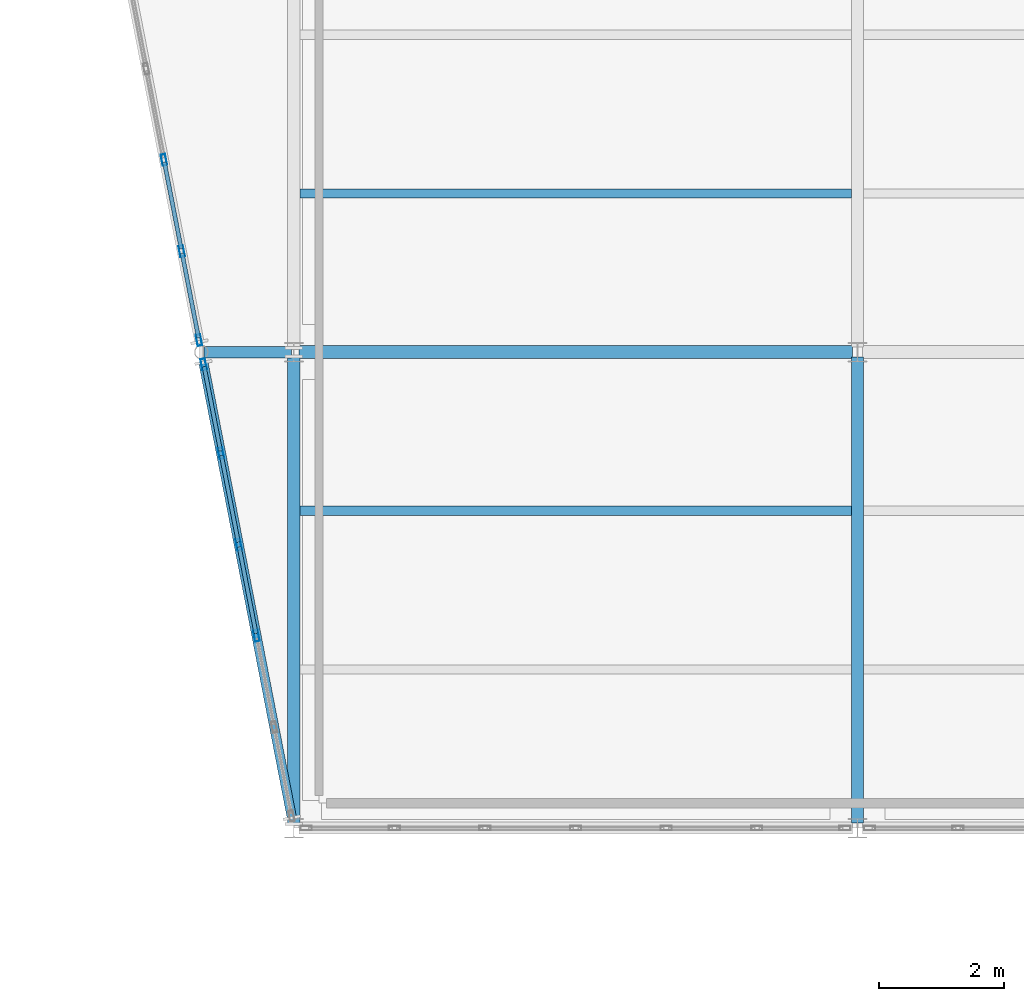
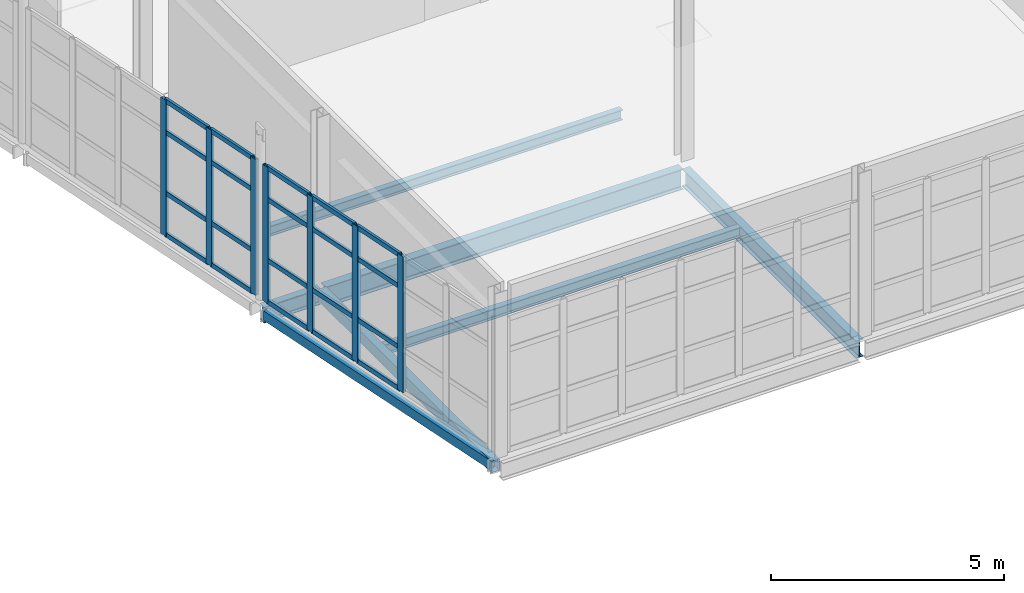
# One storey, part 86 of 166: 27 members, 7 beams, 2 elements without a shape of their own.
"""IFC4 building model written with IfcOpenShell, lengths in metres."""

from ifc_helpers import new_model, si_unit, direction, frame, origin, origin_2d, place, context, subcontext, project, spatial, hollow_rectangle, i_section, extrude, material, material_profile, profile_set, type_object, element, aggregate, save


model = new_model("IFC4")

# Units and contexts
model_context = context("Model", 3, precision=1e-05, world=origin(), true_north=direction((0.0, 1.0)))
body_context = subcontext(model_context, "Body", "Model", "MODEL_VIEW")
ifc_project = project(units=[si_unit("LENGTHUNIT", "METRE"), si_unit("AREAUNIT", "SQUARE_METRE"), si_unit("VOLUMEUNIT", "CUBIC_METRE"), si_unit("PLANEANGLEUNIT", "RADIAN"), si_unit("MASSUNIT", "GRAM", prefix="KILO")], contexts=[model_context])

# Site, building, storey
site_placement = place(None, origin())
site = spatial("IfcSite", under=ifc_project, at=site_placement, CompositionType="ELEMENT")
building_placement = place(site_placement, origin())
building = spatial("IfcBuilding", under=site, at=building_placement, Name="Caisbarro Railhouse Central Library", CompositionType="ELEMENT")
storey_placement = place(building_placement, frame((0.0, 0.0, 9.360107421875)))
storey = spatial("IfcBuildingStorey", under=building, at=storey_placement, Name="L02", CompositionType="ELEMENT", Elevation=9.360107421875)

# Beams
ifc_material_1 = material(Name="Steel ASTM A572 Grade 50", Category="steel")
ifc_material_profile_1 = material_profile(ifc_material_1, i_section(OverallWidth=0.208984375, OverallDepth=0.532958984375, WebThickness=0.01025390625, FlangeThickness=0.015625, FilletRadius=0.02001953125, at=origin_2d()), Name="W530X92.0")
ifc_profile_set_1 = profile_set([ifc_material_profile_1], Name="Steel ASTM A572 Grade 50")
beam_type_1 = type_object("IfcBeamType", Name="BM-G06", PredefinedType="BEAM", material=ifc_profile_set_1)
beam_1_placement = place(storey_placement, frame((117.080078125, 68.39990234375, -0.486572265625), z_axis=(1.0, 0.0, 0.0), x_axis=(0.0, 1.0, 0.0)))
element("IfcBeam", 1, at=beam_1_placement, inside=storey, type_object=beam_type_1, Name="G06 beam L02 #1480", PredefinedType="BEAM", context=body_context, shape_type="SweptSolid", body=[
    extrude(i_section(OverallWidth=0.208984375, OverallDepth=0.532958984375, WebThickness=0.01025390625, FlangeThickness=0.015625, FilletRadius=0.02001953125, at=origin_2d()), origin(), (0.0, 0.0, 1.0), 8.83984375),
])
ifc_material_profile_2 = material_profile(ifc_material_1, i_section(OverallWidth=0.18994140625, OverallDepth=0.45703125, WebThickness=0.009033203125, FlangeThickness=0.014404296875, FilletRadius=0.01806640625, at=origin_2d()), Name="W460X74.0")
ifc_profile_set_2 = profile_set([ifc_material_profile_2], Name="Steel ASTM A572 Grade 50")
beam_type_2 = type_object("IfcBeamType", Name="BM-G08", PredefinedType="BEAM", material=ifc_profile_set_2)
beam_2_placement = place(storey_placement, frame((126.0, 60.8798828125, -0.448486328125), z_axis=(0.0, 1.0, 0.0), x_axis=(-1.0, 0.0, 0.0)))
element("IfcBeam", 2, at=beam_2_placement, inside=storey, type_object=beam_type_2, Name="G08 beam L02 #1513", PredefinedType="BEAM", context=body_context, shape_type="SweptSolid", body=[
    extrude(i_section(OverallWidth=0.18994140625, OverallDepth=0.45703125, WebThickness=0.009033203125, FlangeThickness=0.014404296875, FilletRadius=0.01806640625, at=origin_2d()), origin(), (0.0, 0.0, 1.0), 7.440185546875),
])
ifc_material_profile_3 = material_profile(ifc_material_1, i_section(OverallWidth=0.180908203125, OverallDepth=0.4169921875, WebThickness=0.010986328125, FlangeThickness=0.018310546875, FilletRadius=0.01611328125, at=origin_2d()), Name="W410X85.0")
ifc_profile_set_3 = profile_set([ifc_material_profile_3], Name="Steel ASTM A572 Grade 50")
beam_type_3 = type_object("IfcBeamType", Name="BM-G09", PredefinedType="BEAM", material=ifc_profile_set_3)
beam_3_placement = place(storey_placement, frame((115.56298828125, 68.39990234375, -0.4287109375), z_axis=(1.0, 0.0, 0.0), x_axis=(0.0, 1.0, 0.0)))
element("IfcBeam", 3, at=beam_3_placement, inside=storey, type_object=beam_type_3, Name="G09 beam L02 #1748", PredefinedType="BEAM", context=body_context, shape_type="SweptSolid", body=[
    extrude(i_section(OverallWidth=0.180908203125, OverallDepth=0.4169921875, WebThickness=0.010986328125, FlangeThickness=0.018310546875, FilletRadius=0.01611328125, at=origin_2d()), origin(), (0.0, 0.0, 1.0), 1.39697265625),
])
ifc_material_profile_4 = material_profile(ifc_material_1, i_section(OverallWidth=0.14794921875, OverallDepth=0.26611328125, WebThickness=0.007568359375, FlangeThickness=0.012939453125, FilletRadius=0.010009765625, at=origin_2d()), Name="W250X44.8")
ifc_profile_set_4 = profile_set([ifc_material_profile_4], Name="Steel ASTM A572 Grade 50")
beam_type_4 = type_object("IfcBeamType", Name="BM-J04", PredefinedType="JOIST", material=ifc_profile_set_4)
for number, where, z_axis, x_axis, name in (
    (4, (117.10009765625, 65.86669921875, -0.35302734375), (1.0, 0.0, 0.0), (0.0, 1.0, 0.0), "J04 beam L02 #1540"),
    (5, (117.10009765625, 70.933349609375, -0.35302734375), (1.0, 0.0, 0.0), (0.0, 1.0, 0.0), "J04 beam L02 #1541"),
):
    element("IfcBeam", number, at=place(storey_placement, frame(where, z_axis=z_axis, x_axis=x_axis)), inside=storey, type_object=beam_type_4, Name=name, PredefinedType="JOIST", context=body_context, shape_type="SweptSolid", body=[
        extrude(i_section(OverallWidth=0.14794921875, OverallDepth=0.26611328125, WebThickness=0.007568359375, FlangeThickness=0.012939453125, FilletRadius=0.010009765625, at=origin_2d()), origin(), (0.0, 0.0, 1.0), 8.804931640625),
    ])
ifc_material_profile_5 = material_profile(ifc_material_1, hollow_rectangle(XDim=0.199951171875, YDim=0.300048828125, WallThickness=0.012451171875, at=origin_2d()), Name="HSS300X200X12.5")
ifc_profile_set_5 = profile_set([ifc_material_profile_5], Name="Steel ASTM A572 Grade 50")
beam_type_5 = type_object("IfcBeamType", Name="BM-SP02", PredefinedType="SPANDREL", material=ifc_profile_set_5)
beam_4_placement = place(storey_placement, frame((117.0, 60.8798828125, -0.3701171875), z_axis=(0.0, 1.0, 0.0), x_axis=(-1.0, 0.0, 0.0)))
element("IfcBeam", 6, at=beam_4_placement, inside=storey, type_object=beam_type_5, Name="SP02 beam L02 #1506", PredefinedType="SPANDREL", context=body_context, shape_type="SweptSolid", body=[
    extrude(hollow_rectangle(XDim=0.199951171875, YDim=0.300048828125, WallThickness=0.012451171875, at=origin_2d()), origin(), (0.0, 0.0, 1.0), 7.440185546875),
])
ifc_material_profile_6 = material_profile(ifc_material_1, hollow_rectangle(XDim=0.14990234375, YDim=0.25, WallThickness=0.010009765625, at=origin_2d()), Name="HSS250X150X10")
ifc_profile_set_6 = profile_set([ifc_material_profile_6], Name="Steel ASTM A572 Grade 50")
beam_type_6 = type_object("IfcBeamType", Name="BM-SP03", PredefinedType="SPANDREL", material=ifc_profile_set_6)
beam_5_placement = place(storey_placement, frame((116.9658203125, 60.976806640625, -0.34521484375), z_axis=(-0.1907899916, 0.981630877217, 0.0), x_axis=(-0.981630877217, -0.1907899916, 0.0)))
element("IfcBeam", 7, at=beam_5_placement, inside=storey, type_object=beam_type_6, Name="SP03 beam L02 #1742", PredefinedType="SPANDREL", context=body_context, shape_type="SweptSolid", body=[
    extrude(hollow_rectangle(XDim=0.14990234375, YDim=0.25, WallThickness=0.010009765625, at=origin_2d()), origin(), (0.0, 0.0, 1.0), 7.382080078125),
])

# Curtain wall, members
ifc_material_2 = material(Name="Anodised architectural aluminium", Category="aluminium")
curtain_wall_type = type_object("IfcCurtainWallType", Name="CW-CW02", PredefinedType="NOTDEFINED", material=ifc_material_2)
curtain_wall_1_placement = place(storey_placement, origin())
curtain_wall_1 = element("IfcCurtainWall", 8, at=curtain_wall_1_placement, inside=storey, type_object=curtain_wall_type, Name="CW02 curtain wall L02 #126", PredefinedType="NOTDEFINED")
ifc_material_profile_7 = material_profile(ifc_material_2, hollow_rectangle(XDim=0.074951171875, YDim=0.179931640625, WallThickness=0.00439453125, at=origin_2d()), Name="ALU-MUL-75X180")
ifc_profile_set_7 = profile_set([ifc_material_profile_7], Name="Anodised architectural aluminium")
member_type_1 = type_object("IfcMemberType", Name="CWM-M01", PredefinedType="MULLION", material=ifc_profile_set_7)
member_1_placement = place(storey_placement, frame((116.403076171875, 63.871337890625, 0.0), z_axis=(0.0, 0.0, 1.0), x_axis=(-0.981632635401, -0.190780945369, 0.0)))
member_1 = element("IfcMember", 9, at=member_1_placement, type_object=member_type_1, Name="CW02 mullion 3", PredefinedType="MULLION", context=body_context, shape_type="SweptSolid", body=[
    extrude(hollow_rectangle(XDim=0.074951171875, YDim=0.179931640625, WallThickness=0.00439453125, at=origin_2d()), origin(), (0.0, 0.0, 1.0), 3.559814453125),
])
member_2_placement = place(storey_placement, frame((116.119873046875, 65.32861328125, 0.0), z_axis=(0.0, 0.0, 1.0), x_axis=(-0.981632635401, -0.190780945369, 0.0)))
member_2 = element("IfcMember", 10, at=member_2_placement, type_object=member_type_1, Name="CW02 mullion 4", PredefinedType="MULLION", context=body_context, shape_type="SweptSolid", body=[
    extrude(hollow_rectangle(XDim=0.074951171875, YDim=0.179931640625, WallThickness=0.00439453125, at=origin_2d()), origin(), (0.0, 0.0, 1.0), 3.559814453125),
])
member_3_placement = place(storey_placement, frame((115.836669921875, 66.78564453125, 0.0), z_axis=(0.0, 0.0, 1.0), x_axis=(-0.981632635401, -0.190780945369, 0.0)))
member_3 = element("IfcMember", 11, at=member_3_placement, type_object=member_type_1, Name="CW02 mullion 5", PredefinedType="MULLION", context=body_context, shape_type="SweptSolid", body=[
    extrude(hollow_rectangle(XDim=0.074951171875, YDim=0.179931640625, WallThickness=0.00439453125, at=origin_2d()), origin(), (0.0, 0.0, 1.0), 3.559814453125),
])
member_4_placement = place(storey_placement, frame((115.560546875, 68.2060546875, 0.0), z_axis=(0.0, 0.0, 1.0), x_axis=(-0.981632635401, -0.190780945369, 0.0)))
member_4 = element("IfcMember", 12, at=member_4_placement, type_object=member_type_1, Name="CW02 mullion 6", PredefinedType="MULLION", context=body_context, shape_type="SweptSolid", body=[
    extrude(hollow_rectangle(XDim=0.074951171875, YDim=0.179931640625, WallThickness=0.00439453125, at=origin_2d()), origin(), (0.0, 0.0, 1.0), 3.559814453125),
])

curtain_wall_2_placement = place(storey_placement, origin())
curtain_wall_2 = element("IfcCurtainWall", 13, at=curtain_wall_2_placement, inside=storey, type_object=curtain_wall_type, Name="CW02 curtain wall L02 #127", PredefinedType="NOTDEFINED")
member_5_placement = place(storey_placement, frame((115.4853515625, 68.593994140625, 0.0), z_axis=(0.0, 0.0, 1.0), x_axis=(-0.98160739523, -0.190910768765, 0.0)))
member_5 = element("IfcMember", 14, at=member_5_placement, type_object=member_type_1, Name="CW02 mullion 1", PredefinedType="MULLION", context=body_context, shape_type="SweptSolid", body=[
    extrude(hollow_rectangle(XDim=0.074951171875, YDim=0.179931640625, WallThickness=0.00439453125, at=origin_2d()), origin(), (0.0, 0.0, 1.0), 3.559814453125),
])
member_6_placement = place(storey_placement, frame((115.208984375, 70.01416015625, 0.0), z_axis=(0.0, 0.0, 1.0), x_axis=(-0.98160739523, -0.190910768765, 0.0)))
member_6 = element("IfcMember", 15, at=member_6_placement, type_object=member_type_1, Name="CW02 mullion 2", PredefinedType="MULLION", context=body_context, shape_type="SweptSolid", body=[
    extrude(hollow_rectangle(XDim=0.074951171875, YDim=0.179931640625, WallThickness=0.00439453125, at=origin_2d()), origin(), (0.0, 0.0, 1.0), 3.559814453125),
])
member_7_placement = place(storey_placement, frame((114.92578125, 71.471435546875, 0.0), z_axis=(0.0, 0.0, 1.0), x_axis=(-0.98160739523, -0.190910768765, 0.0)))
member_7 = element("IfcMember", 16, at=member_7_placement, type_object=member_type_1, Name="CW02 mullion 3", PredefinedType="MULLION", context=body_context, shape_type="SweptSolid", body=[
    extrude(hollow_rectangle(XDim=0.074951171875, YDim=0.179931640625, WallThickness=0.00439453125, at=origin_2d()), origin(), (0.0, 0.0, 1.0), 3.559814453125),
])

# Member
ifc_material_profile_8 = material_profile(ifc_material_2, hollow_rectangle(XDim=0.06494140625, YDim=0.1201171875, WallThickness=0.00341796875, at=origin_2d()), Name="ALU-TRN-65X120")
ifc_profile_set_8 = profile_set([ifc_material_profile_8], Name="Anodised architectural aluminium")
member_type_2 = type_object("IfcMemberType", Name="CWT-T02", PredefinedType="USERDEFINED", material=ifc_profile_set_8)
member_8_placement = place(storey_placement, frame((116.39599609375, 63.908203125, 0.032470703125), z_axis=(-0.190883567843, 0.981612685089, 0.0), x_axis=(-0.981612685089, -0.190883567843, 0.0)))
member_8 = element("IfcMember", 17, at=member_8_placement, type_object=member_type_2, Name="CW02 transom 3.1", ObjectType="TRANSOM", PredefinedType="USERDEFINED", context=body_context, shape_type="SweptSolid", body=[
    extrude(hollow_rectangle(XDim=0.06494140625, YDim=0.1201171875, WallThickness=0.00341796875, at=origin_2d()), origin(), (0.0, 0.0, 1.0), 1.409423828125),
])

member_9_placement = place(storey_placement, frame((116.39599609375, 63.908203125, 1.119873046875), z_axis=(-0.190883567843, 0.981612685089, 0.0), x_axis=(-0.981612685089, -0.190883567843, 0.0)))
member_9 = element("IfcMember", 18, at=member_9_placement, type_object=member_type_2, Name="CW02 transom 3.2", ObjectType="TRANSOM", PredefinedType="USERDEFINED", context=body_context, shape_type="SweptSolid", body=[
    extrude(hollow_rectangle(XDim=0.06494140625, YDim=0.1201171875, WallThickness=0.00341796875, at=origin_2d()), origin(), (0.0, 0.0, 1.0), 1.409423828125),
])

member_10_placement = place(storey_placement, frame((116.39599609375, 63.908203125, 2.7099609375), z_axis=(-0.190883567843, 0.981612685089, 0.0), x_axis=(-0.981612685089, -0.190883567843, 0.0)))
member_10 = element("IfcMember", 19, at=member_10_placement, type_object=member_type_2, Name="CW02 transom 3.3", ObjectType="TRANSOM", PredefinedType="USERDEFINED", context=body_context, shape_type="SweptSolid", body=[
    extrude(hollow_rectangle(XDim=0.06494140625, YDim=0.1201171875, WallThickness=0.00341796875, at=origin_2d()), origin(), (0.0, 0.0, 1.0), 1.409423828125),
])

member_11_placement = place(storey_placement, frame((116.39599609375, 63.908203125, 3.52734375), z_axis=(-0.190883567843, 0.981612685089, 0.0), x_axis=(-0.981612685089, -0.190883567843, 0.0)))
member_11 = element("IfcMember", 20, at=member_11_placement, type_object=member_type_2, Name="CW02 transom 3.4", ObjectType="TRANSOM", PredefinedType="USERDEFINED", context=body_context, shape_type="SweptSolid", body=[
    extrude(hollow_rectangle(XDim=0.06494140625, YDim=0.1201171875, WallThickness=0.00341796875, at=origin_2d()), origin(), (0.0, 0.0, 1.0), 1.409423828125),
])

member_12_placement = place(storey_placement, frame((116.11279296875, 65.365478515625, 0.032470703125), z_axis=(-0.190883567843, 0.981612685089, 0.0), x_axis=(-0.981612685089, -0.190883567843, 0.0)))
member_12 = element("IfcMember", 21, at=member_12_placement, type_object=member_type_2, Name="CW02 transom 4.1", ObjectType="TRANSOM", PredefinedType="USERDEFINED", context=body_context, shape_type="SweptSolid", body=[
    extrude(hollow_rectangle(XDim=0.06494140625, YDim=0.1201171875, WallThickness=0.00341796875, at=origin_2d()), origin(), (0.0, 0.0, 1.0), 1.409423828125),
])

member_13_placement = place(storey_placement, frame((116.11279296875, 65.365478515625, 1.119873046875), z_axis=(-0.190883567843, 0.981612685089, 0.0), x_axis=(-0.981612685089, -0.190883567843, 0.0)))
member_13 = element("IfcMember", 22, at=member_13_placement, type_object=member_type_2, Name="CW02 transom 4.2", ObjectType="TRANSOM", PredefinedType="USERDEFINED", context=body_context, shape_type="SweptSolid", body=[
    extrude(hollow_rectangle(XDim=0.06494140625, YDim=0.1201171875, WallThickness=0.00341796875, at=origin_2d()), origin(), (0.0, 0.0, 1.0), 1.409423828125),
])

member_14_placement = place(storey_placement, frame((116.11279296875, 65.365478515625, 2.7099609375), z_axis=(-0.190883567843, 0.981612685089, 0.0), x_axis=(-0.981612685089, -0.190883567843, 0.0)))
member_14 = element("IfcMember", 23, at=member_14_placement, type_object=member_type_2, Name="CW02 transom 4.3", ObjectType="TRANSOM", PredefinedType="USERDEFINED", context=body_context, shape_type="SweptSolid", body=[
    extrude(hollow_rectangle(XDim=0.06494140625, YDim=0.1201171875, WallThickness=0.00341796875, at=origin_2d()), origin(), (0.0, 0.0, 1.0), 1.409423828125),
])

member_15_placement = place(storey_placement, frame((116.11279296875, 65.365478515625, 3.52734375), z_axis=(-0.190883567843, 0.981612685089, 0.0), x_axis=(-0.981612685089, -0.190883567843, 0.0)))
member_15 = element("IfcMember", 24, at=member_15_placement, type_object=member_type_2, Name="CW02 transom 4.4", ObjectType="TRANSOM", PredefinedType="USERDEFINED", context=body_context, shape_type="SweptSolid", body=[
    extrude(hollow_rectangle(XDim=0.06494140625, YDim=0.1201171875, WallThickness=0.00341796875, at=origin_2d()), origin(), (0.0, 0.0, 1.0), 1.409423828125),
])

member_16_placement = place(storey_placement, frame((115.82958984375, 66.822509765625, 0.032470703125), z_axis=(-0.190774392735, 0.981633908887, 0.0), x_axis=(-0.981633908887, -0.190774392735, 0.0)))
member_16 = element("IfcMember", 25, at=member_16_placement, type_object=member_type_2, Name="CW02 transom 5.1", ObjectType="TRANSOM", PredefinedType="USERDEFINED", context=body_context, shape_type="SweptSolid", body=[
    extrude(hollow_rectangle(XDim=0.06494140625, YDim=0.1201171875, WallThickness=0.00341796875, at=origin_2d()), origin(), (0.0, 0.0, 1.0), 1.371826171875),
])

member_17_placement = place(storey_placement, frame((115.82958984375, 66.822509765625, 1.119873046875), z_axis=(-0.190774392735, 0.981633908887, 0.0), x_axis=(-0.981633908887, -0.190774392735, 0.0)))
member_17 = element("IfcMember", 26, at=member_17_placement, type_object=member_type_2, Name="CW02 transom 5.2", ObjectType="TRANSOM", PredefinedType="USERDEFINED", context=body_context, shape_type="SweptSolid", body=[
    extrude(hollow_rectangle(XDim=0.06494140625, YDim=0.1201171875, WallThickness=0.00341796875, at=origin_2d()), origin(), (0.0, 0.0, 1.0), 1.371826171875),
])

member_18_placement = place(storey_placement, frame((115.82958984375, 66.822509765625, 2.7099609375), z_axis=(-0.190774392735, 0.981633908887, 0.0), x_axis=(-0.981633908887, -0.190774392735, 0.0)))
member_18 = element("IfcMember", 27, at=member_18_placement, type_object=member_type_2, Name="CW02 transom 5.3", ObjectType="TRANSOM", PredefinedType="USERDEFINED", context=body_context, shape_type="SweptSolid", body=[
    extrude(hollow_rectangle(XDim=0.06494140625, YDim=0.1201171875, WallThickness=0.00341796875, at=origin_2d()), origin(), (0.0, 0.0, 1.0), 1.371826171875),
])

member_19_placement = place(storey_placement, frame((115.82958984375, 66.822509765625, 3.52734375), z_axis=(-0.190774392735, 0.981633908887, 0.0), x_axis=(-0.981633908887, -0.190774392735, 0.0)))
member_19 = element("IfcMember", 28, at=member_19_placement, type_object=member_type_2, Name="CW02 transom 5.4", ObjectType="TRANSOM", PredefinedType="USERDEFINED", context=body_context, shape_type="SweptSolid", body=[
    extrude(hollow_rectangle(XDim=0.06494140625, YDim=0.1201171875, WallThickness=0.00341796875, at=origin_2d()), origin(), (0.0, 0.0, 1.0), 1.371826171875),
])

aggregate(curtain_wall_1, [member_1, member_2, member_3, member_4, member_8, member_9, member_10, member_11, member_12, member_13, member_14, member_15, member_16, member_17, member_18, member_19])

member_20_placement = place(storey_placement, frame((115.478271484375, 68.630615234375, 0.032470703125), z_axis=(-0.190912519438, 0.981607054743, 0.0), x_axis=(-0.981607054743, -0.190912519438, 0.0)))
member_20 = element("IfcMember", 29, at=member_20_placement, type_object=member_type_2, Name="CW02 transom 1.1", ObjectType="TRANSOM", PredefinedType="USERDEFINED", context=body_context, shape_type="SweptSolid", body=[
    extrude(hollow_rectangle(XDim=0.06494140625, YDim=0.1201171875, WallThickness=0.00341796875, at=origin_2d()), origin(), (0.0, 0.0, 1.0), 1.3720703125),
])

member_21_placement = place(storey_placement, frame((115.478271484375, 68.630615234375, 1.119873046875), z_axis=(-0.190912519438, 0.981607054743, 0.0), x_axis=(-0.981607054743, -0.190912519438, 0.0)))
member_21 = element("IfcMember", 30, at=member_21_placement, type_object=member_type_2, Name="CW02 transom 1.2", ObjectType="TRANSOM", PredefinedType="USERDEFINED", context=body_context, shape_type="SweptSolid", body=[
    extrude(hollow_rectangle(XDim=0.06494140625, YDim=0.1201171875, WallThickness=0.00341796875, at=origin_2d()), origin(), (0.0, 0.0, 1.0), 1.3720703125),
])

member_22_placement = place(storey_placement, frame((115.478271484375, 68.630615234375, 2.7099609375), z_axis=(-0.190912519438, 0.981607054743, 0.0), x_axis=(-0.981607054743, -0.190912519438, 0.0)))
member_22 = element("IfcMember", 31, at=member_22_placement, type_object=member_type_2, Name="CW02 transom 1.3", ObjectType="TRANSOM", PredefinedType="USERDEFINED", context=body_context, shape_type="SweptSolid", body=[
    extrude(hollow_rectangle(XDim=0.06494140625, YDim=0.1201171875, WallThickness=0.00341796875, at=origin_2d()), origin(), (0.0, 0.0, 1.0), 1.3720703125),
])

member_23_placement = place(storey_placement, frame((115.478271484375, 68.630615234375, 3.52734375), z_axis=(-0.190912519438, 0.981607054743, 0.0), x_axis=(-0.981607054743, -0.190912519438, 0.0)))
member_23 = element("IfcMember", 32, at=member_23_placement, type_object=member_type_2, Name="CW02 transom 1.4", ObjectType="TRANSOM", PredefinedType="USERDEFINED", context=body_context, shape_type="SweptSolid", body=[
    extrude(hollow_rectangle(XDim=0.06494140625, YDim=0.1201171875, WallThickness=0.00341796875, at=origin_2d()), origin(), (0.0, 0.0, 1.0), 1.3720703125),
])

member_24_placement = place(storey_placement, frame((115.201904296875, 70.051025390625, 0.032470703125), z_axis=(-0.190883567843, 0.981612685089, 0.0), x_axis=(-0.981612685089, -0.190883567843, 0.0)))
member_24 = element("IfcMember", 33, at=member_24_placement, type_object=member_type_2, Name="CW02 transom 2.1", ObjectType="TRANSOM", PredefinedType="USERDEFINED", context=body_context, shape_type="SweptSolid", body=[
    extrude(hollow_rectangle(XDim=0.06494140625, YDim=0.1201171875, WallThickness=0.00341796875, at=origin_2d()), origin(), (0.0, 0.0, 1.0), 1.409423828125),
])

member_25_placement = place(storey_placement, frame((115.201904296875, 70.051025390625, 1.119873046875), z_axis=(-0.190883567843, 0.981612685089, 0.0), x_axis=(-0.981612685089, -0.190883567843, 0.0)))
member_25 = element("IfcMember", 34, at=member_25_placement, type_object=member_type_2, Name="CW02 transom 2.2", ObjectType="TRANSOM", PredefinedType="USERDEFINED", context=body_context, shape_type="SweptSolid", body=[
    extrude(hollow_rectangle(XDim=0.06494140625, YDim=0.1201171875, WallThickness=0.00341796875, at=origin_2d()), origin(), (0.0, 0.0, 1.0), 1.409423828125),
])

member_26_placement = place(storey_placement, frame((115.201904296875, 70.051025390625, 2.7099609375), z_axis=(-0.190883567843, 0.981612685089, 0.0), x_axis=(-0.981612685089, -0.190883567843, 0.0)))
member_26 = element("IfcMember", 35, at=member_26_placement, type_object=member_type_2, Name="CW02 transom 2.3", ObjectType="TRANSOM", PredefinedType="USERDEFINED", context=body_context, shape_type="SweptSolid", body=[
    extrude(hollow_rectangle(XDim=0.06494140625, YDim=0.1201171875, WallThickness=0.00341796875, at=origin_2d()), origin(), (0.0, 0.0, 1.0), 1.409423828125),
])

member_27_placement = place(storey_placement, frame((115.201904296875, 70.051025390625, 3.52734375), z_axis=(-0.190883567843, 0.981612685089, 0.0), x_axis=(-0.981612685089, -0.190883567843, 0.0)))
member_27 = element("IfcMember", 36, at=member_27_placement, type_object=member_type_2, Name="CW02 transom 2.4", ObjectType="TRANSOM", PredefinedType="USERDEFINED", context=body_context, shape_type="SweptSolid", body=[
    extrude(hollow_rectangle(XDim=0.06494140625, YDim=0.1201171875, WallThickness=0.00341796875, at=origin_2d()), origin(), (0.0, 0.0, 1.0), 1.409423828125),
])

aggregate(curtain_wall_2, [member_5, member_6, member_7, member_20, member_21, member_22, member_23, member_24, member_25, member_26, member_27])

save(model, "model.ifc")
